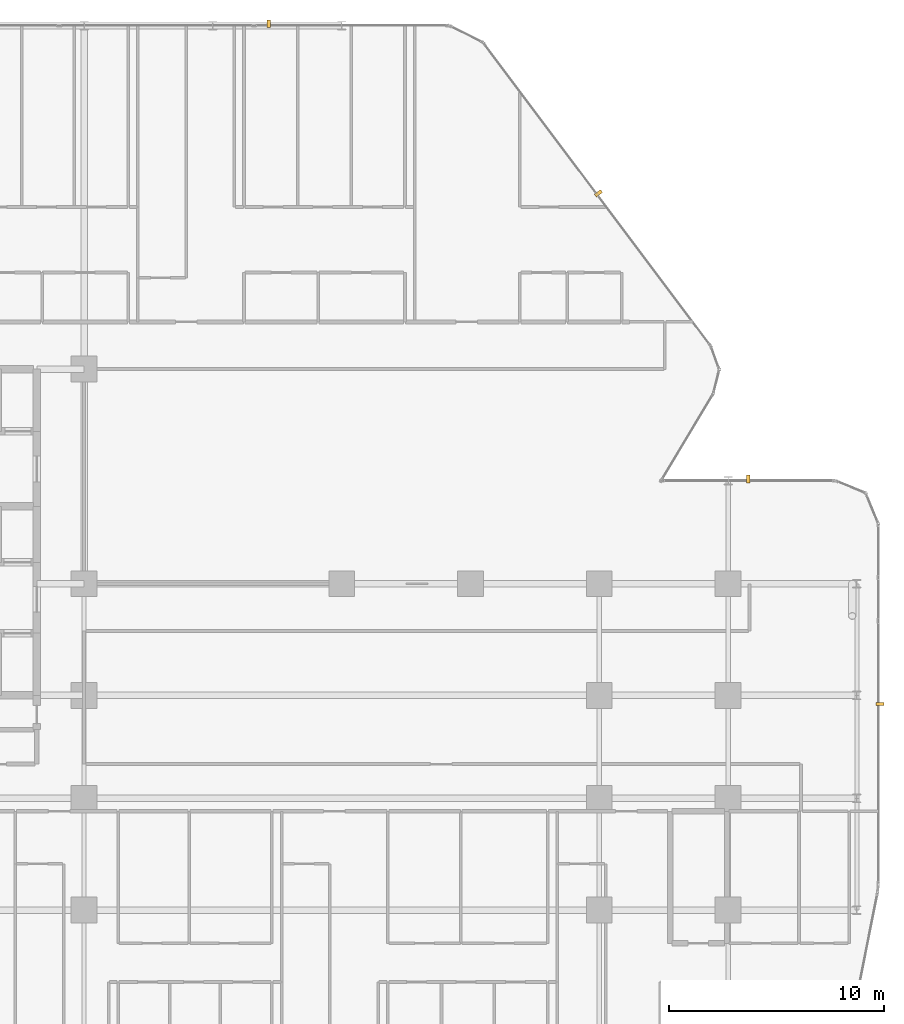
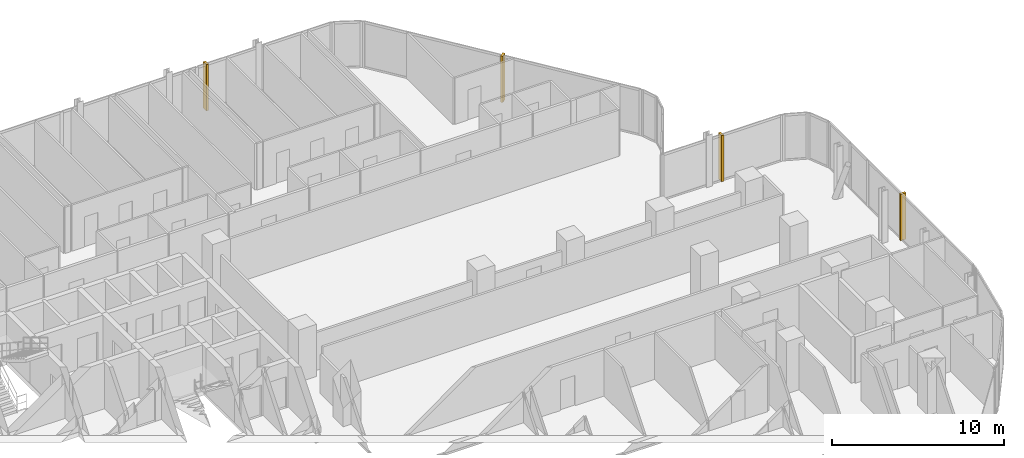
# One storey, part 34 of 34: 4 coverings.
"""IFC4 building model written with IfcOpenShell, lengths in metres."""

import ifcopenshell
import ifcopenshell.guid

model = None  # the IFC model being written
_history = None  # IfcOwnerHistory: only IFC2X3 demands one
_inside = {}  # id of a spatial element -> (the spatial element, [elements in it])
_under = {}  # id of a project, library or spatial element -> (it, [spatial elements below it])
_declared = {}  # id of a project -> (the project, [libraries it declares])
_typed = {}  # id of a type object -> (the type object, [elements of that type])
_made_of = {}  # id of a material, layer set ... -> (it, [elements and type objects made of it])


def new_model(schema):
    """Start an empty IFC model of exactly this schema.

    Asked for "IFC4X3", IfcOpenShell would pick the latest addendum, in which some entities
    have other attributes; the version numbers below select the first issue.
    IFC2X3 requires an IfcOwnerHistory on every rooted entity: one is made here for all.
    """
    global model, _history
    if schema == "IFC4X3":
        model = ifcopenshell.file(schema_version=(4, 3, 0, 0))
    else:
        model = ifcopenshell.file(schema=schema)
    _inside.clear()
    _under.clear()
    _declared.clear()
    _typed.clear()
    _made_of.clear()
    _history = None
    if model.schema == "IFC2X3":
        org = make("IfcOrganization", Name="unknown")
        user = make(
            "IfcPersonAndOrganization",
            ThePerson=make("IfcPerson", FamilyName="unknown"),
            TheOrganization=org,
        )
        app = make(
            "IfcApplication",
            ApplicationDeveloper=org,
            Version="unknown",
            ApplicationFullName="unknown",
            ApplicationIdentifier="unknown",
        )
        _history = make(
            "IfcOwnerHistory",
            OwningUser=user,
            OwningApplication=app,
            ChangeAction="ADDED",
            CreationDate=0,
        )
    return model


def make(cls, **values):
    """One entity of the class cls with the attributes given. An attribute that is None is left unset."""
    return model.create_entity(
        cls, **{name: value for name, value in values.items() if value is not None}
    )


def rooted(cls, **values):
    """An entity with a GlobalId (a new one), such as an element, a storey or a relation."""
    return make(cls, GlobalId=ifcopenshell.guid.new(), OwnerHistory=_history, **values)


def si_unit(unit_type, name, prefix=None):
    """IfcSIUnit, for example si_unit("LENGTHUNIT", "METRE", prefix="MILLI")."""
    return make("IfcSIUnit", UnitType=unit_type, Prefix=prefix, Name=name)


def assignment(units):
    """IfcUnitAssignment: the units of a project."""
    return None if units is None else make("IfcUnitAssignment", Units=units)


def point(xyz):
    """IfcCartesianPoint."""
    return None if xyz is None else make("IfcCartesianPoint", Coordinates=xyz)


def direction(xyz):
    """IfcDirection."""
    return None if xyz is None else make("IfcDirection", DirectionRatios=xyz)


def frame(location, z_axis=None, x_axis=None):
    """IfcAxis2Placement3D, a coordinate frame: its origin and axes. An axis left out is left unset."""
    return make(
        "IfcAxis2Placement3D",
        Location=point(location),
        Axis=direction(z_axis),
        RefDirection=direction(x_axis),
    )


def frame_2d(location, x_axis=None):
    """IfcAxis2Placement2D, a coordinate frame in the plane: its origin and x axis."""
    return make(
        "IfcAxis2Placement2D", Location=point(location), RefDirection=direction(x_axis)
    )


def origin():
    """The frame at (0, 0, 0) with its axes left unset."""
    return frame((0.0, 0.0, 0.0))


def origin_2d():
    """The frame at (0, 0) in the plane with its x axis left unset."""
    return frame_2d((0.0, 0.0))


def place(relative_to, where):
    """IfcLocalPlacement: puts the frame where relative to a parent placement (None: the world)."""
    return make(
        "IfcLocalPlacement", PlacementRelTo=relative_to, RelativePlacement=where
    )


def context(
    kind, dimensions, precision=None, world=None, true_north=None, identifier=None
):
    """IfcGeometricRepresentationContext, for example the 3D "Model" context."""
    return make(
        "IfcGeometricRepresentationContext",
        ContextIdentifier=identifier,
        ContextType=kind,
        CoordinateSpaceDimension=dimensions,
        Precision=precision,
        WorldCoordinateSystem=world,
        TrueNorth=true_north,
    )


def subcontext(parent, identifier, kind, view, scale=None):
    """IfcGeometricRepresentationSubContext, for example "Body" below "Model"."""
    return make(
        "IfcGeometricRepresentationSubContext",
        ContextIdentifier=identifier,
        ContextType=kind,
        ParentContext=parent,
        TargetScale=scale,
        TargetView=view,
    )


def project(units=None, contexts=None):
    """IfcProject with its units and contexts."""
    return rooted(
        "IfcProject",
        Name="project",
        RepresentationContexts=contexts,
        UnitsInContext=assignment(units),
    )


def spatial(cls, under=None, at=None, **own):
    """A site, building, storey or space (cls), placed at a placement, below another one or the project."""
    s = rooted(cls, ObjectPlacement=at, **own)
    if under is not None:
        _under.setdefault(under.id(), (under, []))[1].append(s)
    return s


def profile(cls, at=None, kind="AREA", **sizes):
    """A parametric profile (cls). Its sizes go by their IFC names, for example OverallWidth=200.0."""
    return make(cls, ProfileType=kind, Position=at, **sizes)


def rectangle(**sizes):
    """IfcRectangleProfileDef."""
    return profile("IfcRectangleProfileDef", **sizes)


def extrude(swept, where, along, depth):
    """IfcExtrudedAreaSolid: the profile swept, set in the frame where, extruded along a direction by depth."""
    return make(
        "IfcExtrudedAreaSolid",
        SweptArea=swept,
        Position=where,
        ExtrudedDirection=direction(along),
        Depth=depth,
    )


def shape(context_of_items, identifier, shape_type, items):
    """IfcShapeRepresentation: the items that make up one representation, for example the "Body"."""
    return make(
        "IfcShapeRepresentation",
        ContextOfItems=context_of_items,
        RepresentationIdentifier=identifier,
        RepresentationType=shape_type,
        Items=items,
    )


def material(Name=None, Category=None):
    """IfcMaterial."""
    return make("IfcMaterial", Name=Name, Category=Category)


def made_of(thing, what):
    """Note that an element or type object is made of a material, layer set ...; save() writes the relation."""
    if what is not None:
        _made_of.setdefault(what.id(), (what, []))[1].append(thing)
    return thing


def type_object(cls, material=None, **own):
    """A type object (cls), such as IfcWallType, which elements share."""
    return made_of(rooted(cls, **own), material)


def element(
    cls,
    number,
    at=None,
    inside=None,
    cuts=None,
    type_object=None,
    material=None,
    context=None,
    identifier="Body",
    shape_type=None,
    held_by="IfcProductDefinitionShape",
    body=None,
    shapes=None,
    **own,
):
    """One element of the class cls, such as IfcWall. Its Tag is "e" and its number.

    at: its placement. inside: the storey or other place that contains it. cuts: it is an
    opening in that element (IfcRelVoidsElement). A single representation is given by context,
    identifier, shape_type and body (its items); several are given by shapes. held_by: the class
    of the entity that holds the representations. save() writes the other relations.
    """
    e = rooted(cls, Tag="e%d" % number, ObjectPlacement=at, **own)
    if body is not None:
        shapes = [shape(context, identifier, shape_type, body)]
    if shapes is not None:
        e.Representation = make(held_by, Representations=shapes)
    if inside is not None:
        _inside.setdefault(inside.id(), (inside, []))[1].append(e)
    if cuts is not None:
        rooted(
            "IfcRelVoidsElement", RelatingBuildingElement=cuts, RelatedOpeningElement=e
        )
    if type_object is not None:
        _typed.setdefault(type_object.id(), (type_object, []))[1].append(e)
    return made_of(e, material)


def aggregate(whole, parts):
    """IfcRelAggregates: a whole, such as a stair, and the parts it consists of."""
    return rooted("IfcRelAggregates", RelatingObject=whole, RelatedObjects=parts)


def save(model, path):
    """Write the relations noted so far, then the file.

    IfcRelAggregates (storeys below a building ...), IfcRelContainedInSpatialStructure (elements
    in a storey), IfcRelDefinesByType, IfcRelAssociatesMaterial and IfcRelDeclares: one each for
    every whole, place, type object, material and project.
    """
    for whole, parts in _under.values():
        aggregate(whole, parts)
    for where, things in _inside.values():
        rooted(
            "IfcRelContainedInSpatialStructure",
            RelatedElements=things,
            RelatingStructure=where,
        )
    for kind, things in _typed.values():
        rooted("IfcRelDefinesByType", RelatedObjects=things, RelatingType=kind)
    for what, things in _made_of.values():
        rooted("IfcRelAssociatesMaterial", RelatedObjects=things, RelatingMaterial=what)
    for by, libraries in _declared.values():
        rooted("IfcRelDeclares", RelatingContext=by, RelatedDefinitions=libraries)
    model.write(path)


model = new_model("IFC4")

# Units and contexts
model_context = context("Model", 3, precision=1e-05, world=origin(), true_north=direction((0.0, 1.0)))
body_context = subcontext(model_context, "Body", "Model", "MODEL_VIEW")
ifc_project = project(units=[si_unit("LENGTHUNIT", "METRE"), si_unit("AREAUNIT", "SQUARE_METRE"), si_unit("VOLUMEUNIT", "CUBIC_METRE"), si_unit("PLANEANGLEUNIT", "RADIAN"), si_unit("MASSUNIT", "GRAM", prefix="KILO")], contexts=[model_context])

# Site, building, storey
site_placement = place(None, origin())
site = spatial("IfcSite", under=ifc_project, at=site_placement, CompositionType="ELEMENT")
building_placement = place(site_placement, origin())
building = spatial("IfcBuilding", under=site, at=building_placement, Name="Keshet Zoharim Tower", CompositionType="ELEMENT")
storey_placement = place(building_placement, frame((0.0, 0.0, 77.5)))
storey = spatial("IfcBuildingStorey", under=building, at=storey_placement, Name="L18", CompositionType="ELEMENT", Elevation=77.5)

# Coverings
ifc_material = material(Name="Concrete C50/60 precast", Category="concrete")
covering_type = type_object("IfcCoveringType", Name="FIN-SOL-360", PredefinedType="CLADDING", material=ifc_material)
for number, where, z_axis, x_axis, name in (
    (1, (41.593994140625, 53.97998046875, 0.0), (0.0, 0.0, 1.0), (1.0, 0.0, 0.0), "L18 Vertical Precast Solar Fin 06"),
    (2, (56.9609375, 46.0859375, 0.0), (0.0, 0.0, 1.0), (0.600000000002, -0.799999999998, 0.0), "L18 Vertical Precast Solar Fin 07"),
    (3, (63.93994140625, 32.780029296875, 0.0), (0.0, 0.0, 1.0), (1.0, 0.0, 0.0), "L18 Vertical Precast Solar Fin 08"),
    (4, (70.080078125, 22.299072265625, 0.0), (0.0, 0.0, 1.0), (0.0, -1.0, 0.0), "L18 Vertical Precast Solar Fin 09"),
):
    element("IfcCovering", number, at=place(storey_placement, frame(where, z_axis=z_axis, x_axis=x_axis)), inside=storey, type_object=covering_type, Name=name, PredefinedType="CLADDING", context=body_context, shape_type="SweptSolid", body=[
        extrude(rectangle(XDim=0.159912109375, YDim=0.360107421875, at=origin_2d()), origin(), (0.0, 0.0, 1.0), 3.280029296875),
    ])

save(model, "model.ifc")
